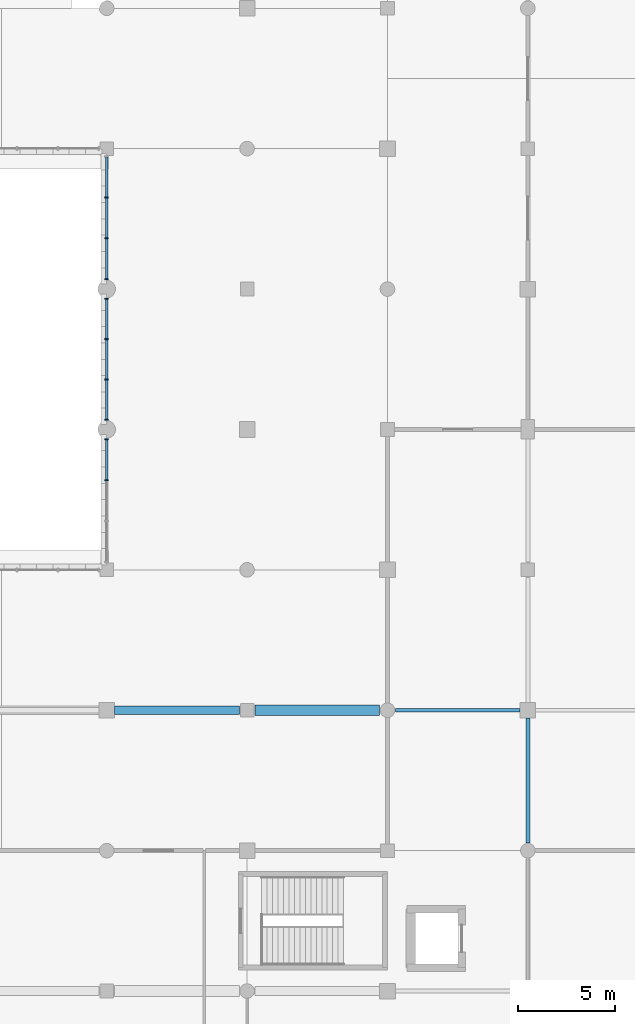
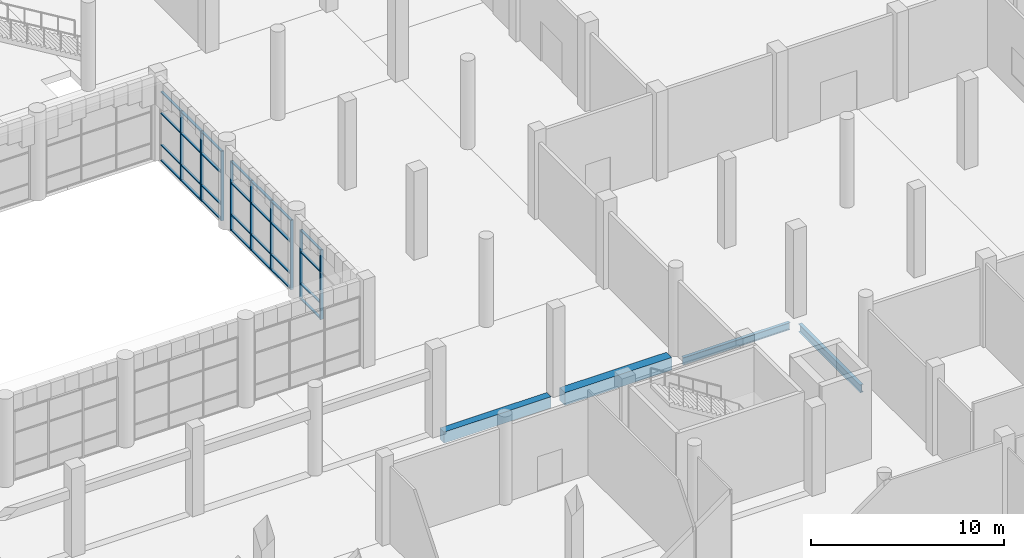
# One storey, part 18 of 85: 37 members, 4 beams, 3 elements without a shape of their own.
"""IFC4 building model written with IfcOpenShell, lengths in metres."""

from ifc_helpers import new_model, si_unit, direction, frame, origin, origin_2d, place, context, subcontext, project, spatial, rectangle, i_section, extrude, material, material_profile, profile_set, type_object, element, aggregate, save


model = new_model("IFC4")

# Units and contexts
model_context = context("Model", 3, precision=1e-05, world=origin(), true_north=direction((0.0, 1.0)))
body_context = subcontext(model_context, "Body", "Model", "MODEL_VIEW")
ifc_project = project(units=[si_unit("LENGTHUNIT", "METRE"), si_unit("AREAUNIT", "SQUARE_METRE"), si_unit("VOLUMEUNIT", "CUBIC_METRE"), si_unit("PLANEANGLEUNIT", "RADIAN"), si_unit("MASSUNIT", "GRAM", prefix="KILO")], contexts=[model_context])

# Site, building, storey
site_placement = place(None, origin())
site = spatial("IfcSite", under=ifc_project, at=site_placement, CompositionType="ELEMENT")
building_placement = place(site_placement, origin())
building = spatial("IfcBuilding", under=site, at=building_placement, Name="Sardonyx Promenade Sports Hall", CompositionType="ELEMENT")
storey_placement = place(building_placement, origin())
storey = spatial("IfcBuildingStorey", under=building, at=storey_placement, Name="L00", CompositionType="ELEMENT", Elevation=0.0)

# Beams
ifc_material_1 = material(Name="Concrete C40/50", Category="concrete")
ifc_material_profile_1 = material_profile(ifc_material_1, rectangle(XDim=0.550048828125, YDim=0.800048828125, at=origin_2d()))
ifc_profile_set_1 = profile_set([ifc_material_profile_1], Name="Concrete C40/50")
beam_type_1 = type_object("IfcBeamType", Name="Bm_Girder_RC800", PredefinedType="BEAM", material=ifc_profile_set_1)
beam_1_placement = place(storey_placement, frame((101.199951171875, 36.0, -0.39990234375), z_axis=(1.0, 0.0, 0.0), x_axis=(0.0, 1.0, 0.0)))
element("IfcBeam", 1, at=beam_1_placement, inside=storey, type_object=beam_type_1, Name="Beam BG04 L00 #114", PredefinedType="BEAM", context=body_context, shape_type="SweptSolid", body=[
    extrude(rectangle(XDim=0.550048828125, YDim=0.800048828125, at=origin_2d()), origin(), (0.0, 0.0, 1.0), 6.400146484375),
])
ifc_material_2 = material(Name="Steel S355JR", Category="steel")
ifc_material_profile_2 = material_profile(ifc_material_2, i_section(OverallWidth=0.18994140625, OverallDepth=0.453369140625, WebThickness=0.008544921875, FlangeThickness=0.0126953125, at=origin_2d()))
ifc_profile_set_2 = profile_set([ifc_material_profile_2], Name="Steel S355JR")
beam_type_2 = type_object("IfcBeamType", Name="Bm_Girder_UB457", PredefinedType="BEAM", material=ifc_profile_set_2)
beam_2_placement = place(storey_placement, frame((108.39990234375, 36.0, -0.646728515625), z_axis=(1.0, 0.0, 0.0), x_axis=(0.0, 1.0, 0.0)))
element("IfcBeam", 2, at=beam_2_placement, inside=storey, type_object=beam_type_2, Name="Beam SB01 L00 #115", PredefinedType="BEAM", context=body_context, shape_type="SweptSolid", body=[
    extrude(i_section(OverallWidth=0.18994140625, OverallDepth=0.453369140625, WebThickness=0.008544921875, FlangeThickness=0.0126953125, at=origin_2d()), origin(), (0.0, 0.0, 1.0), 6.400146484375),
])
ifc_material_3 = material(Name="Steel S355JR", Category="steel")
ifc_material_profile_3 = material_profile(ifc_material_3, i_section(OverallWidth=0.199951171875, OverallDepth=0.5, WebThickness=0.01025390625, FlangeThickness=0.01611328125, at=origin_2d()))
ifc_profile_set_3 = profile_set([ifc_material_profile_3], Name="Steel S355JR")
beam_type_3 = type_object("IfcBeamType", Name="Bm_Primary_IPE500", PredefinedType="BEAM", material=ifc_profile_set_3)
beam_3_placement = place(storey_placement, frame((115.199951171875, 29.199951171875, -0.669921875), z_axis=(0.0, 1.0, 0.0), x_axis=(-1.0, 0.0, 0.0)))
element("IfcBeam", 3, at=beam_3_placement, inside=storey, type_object=beam_type_3, Name="Beam SB06 L00 #152", PredefinedType="BEAM", context=body_context, shape_type="SweptSolid", body=[
    extrude(i_section(OverallWidth=0.199951171875, OverallDepth=0.5, WebThickness=0.01025390625, FlangeThickness=0.01611328125, at=origin_2d()), origin(), (0.0, 0.0, 1.0), 6.400146484375),
])
ifc_material_4 = material(Name="Concrete C40/50", Category="concrete")
ifc_material_profile_4 = material_profile(ifc_material_4, rectangle(XDim=0.449951171875, YDim=0.699951171875, at=origin_2d()))
ifc_profile_set_4 = profile_set([ifc_material_profile_4], Name="Concrete C40/50")
beam_type_4 = type_object("IfcBeamType", Name="Bm_Primary_RC700", PredefinedType="BEAM", material=ifc_profile_set_4)
beam_4_placement = place(storey_placement, frame((94.0, 36.0, -0.35009765625), z_axis=(1.0, 0.0, 0.0), x_axis=(0.0, 1.0, 0.0)))
element("IfcBeam", 4, at=beam_4_placement, inside=storey, type_object=beam_type_4, Name="Beam BG01 L00 #113", PredefinedType="BEAM", context=body_context, shape_type="SweptSolid", body=[
    extrude(rectangle(XDim=0.449951171875, YDim=0.699951171875, at=origin_2d()), origin(), (0.0, 0.0, 1.0), 6.39990234375),
])

# Curtain wall, members
ifc_material_5 = material(Name="Aluminium 6063-T6", Category="aluminium")
curtain_wall_type = type_object("IfcCurtainWallType", Name="CW_Riwaq_L00_640", PredefinedType="USERDEFINED", material=ifc_material_5)
curtain_wall_1_placement = place(storey_placement, origin())
curtain_wall_1 = element("IfcCurtainWall", 5, at=curtain_wall_1_placement, inside=storey, type_object=curtain_wall_type, Name="Curtain wall CW17 cw:L00:121", ObjectType="CURTAIN WALL", PredefinedType="USERDEFINED")
ifc_material_6 = material(Name="Aluminium 6063-T6", Category="aluminium")
ifc_material_profile_5 = material_profile(ifc_material_6, rectangle(XDim=0.06494140625, YDim=0.175048828125, at=origin_2d()))
ifc_profile_set_5 = profile_set([ifc_material_profile_5], Name="Aluminium 6063-T6")
member_type_1 = type_object("IfcMemberType", Name="CW_Mull_175", PredefinedType="MULLION", material=ifc_profile_set_5)
member_1_placement = place(storey_placement, frame((93.60009765625, 47.799072265625, 0.0), z_axis=(0.0, 0.0, 1.0), x_axis=(0.0, 1.0, 0.0)))
member_1 = element("IfcMember", 6, at=member_1_placement, type_object=member_type_1, Name="Mullion CM02 cw:L00:121 #3", PredefinedType="MULLION", context=body_context, shape_type="SweptSolid", body=[
    extrude(rectangle(XDim=0.06494140625, YDim=0.175048828125, at=origin_2d()), origin(), (0.0, 0.0, 1.0), 4.39990234375),
])
member_2_placement = place(storey_placement, frame((93.60009765625, 49.8974609375, 0.0), z_axis=(0.0, 0.0, 1.0), x_axis=(0.0, 1.0, 0.0)))
member_2 = element("IfcMember", 7, at=member_2_placement, type_object=member_type_1, Name="Mullion CM02 cw:L00:121 #4", PredefinedType="MULLION", context=body_context, shape_type="SweptSolid", body=[
    extrude(rectangle(XDim=0.06494140625, YDim=0.175048828125, at=origin_2d()), origin(), (0.0, 0.0, 1.0), 4.39990234375),
])

curtain_wall_2_placement = place(storey_placement, origin())
curtain_wall_2 = element("IfcCurtainWall", 8, at=curtain_wall_2_placement, inside=storey, type_object=curtain_wall_type, Name="Curtain wall CW17 cw:L00:123", ObjectType="CURTAIN WALL", PredefinedType="USERDEFINED")
member_3_placement = place(storey_placement, frame((93.60009765625, 50.902587890625, 0.0), z_axis=(0.0, 0.0, 1.0), x_axis=(0.0, 1.0, 0.0)))
member_3 = element("IfcMember", 9, at=member_3_placement, type_object=member_type_1, Name="Mullion CM02 cw:L00:123 #1", PredefinedType="MULLION", context=body_context, shape_type="SweptSolid", body=[
    extrude(rectangle(XDim=0.06494140625, YDim=0.175048828125, at=origin_2d()), origin(), (0.0, 0.0, 1.0), 4.39990234375),
])
member_4_placement = place(storey_placement, frame((93.60009765625, 52.967529296875, 0.0), z_axis=(0.0, 0.0, 1.0), x_axis=(0.0, 1.0, 0.0)))
member_4 = element("IfcMember", 10, at=member_4_placement, type_object=member_type_1, Name="Mullion CM02 cw:L00:123 #2", PredefinedType="MULLION", context=body_context, shape_type="SweptSolid", body=[
    extrude(rectangle(XDim=0.06494140625, YDim=0.175048828125, at=origin_2d()), origin(), (0.0, 0.0, 1.0), 4.39990234375),
])
member_5_placement = place(storey_placement, frame((93.60009765625, 55.032470703125, 0.0), z_axis=(0.0, 0.0, 1.0), x_axis=(0.0, 1.0, 0.0)))
member_5 = element("IfcMember", 11, at=member_5_placement, type_object=member_type_1, Name="Mullion CM02 cw:L00:123 #3", PredefinedType="MULLION", context=body_context, shape_type="SweptSolid", body=[
    extrude(rectangle(XDim=0.06494140625, YDim=0.175048828125, at=origin_2d()), origin(), (0.0, 0.0, 1.0), 4.39990234375),
])
member_6_placement = place(storey_placement, frame((93.60009765625, 57.097412109375, 0.0), z_axis=(0.0, 0.0, 1.0), x_axis=(0.0, 1.0, 0.0)))
member_6 = element("IfcMember", 12, at=member_6_placement, type_object=member_type_1, Name="Mullion CM02 cw:L00:123 #4", PredefinedType="MULLION", context=body_context, shape_type="SweptSolid", body=[
    extrude(rectangle(XDim=0.06494140625, YDim=0.175048828125, at=origin_2d()), origin(), (0.0, 0.0, 1.0), 4.39990234375),
])

curtain_wall_3_placement = place(storey_placement, origin())
curtain_wall_3 = element("IfcCurtainWall", 13, at=curtain_wall_3_placement, inside=storey, type_object=curtain_wall_type, Name="Curtain wall CW17 cw:L00:125", ObjectType="CURTAIN WALL", PredefinedType="USERDEFINED")
member_7_placement = place(storey_placement, frame((93.60009765625, 58.1025390625, 0.0), z_axis=(0.0, 0.0, 1.0), x_axis=(0.0, 1.0, 0.0)))
member_7 = element("IfcMember", 14, at=member_7_placement, type_object=member_type_1, Name="Mullion CM02 cw:L00:125 #1", PredefinedType="MULLION", context=body_context, shape_type="SweptSolid", body=[
    extrude(rectangle(XDim=0.06494140625, YDim=0.175048828125, at=origin_2d()), origin(), (0.0, 0.0, 1.0), 4.39990234375),
])
member_8_placement = place(storey_placement, frame((93.60009765625, 60.200927734375, 0.0), z_axis=(0.0, 0.0, 1.0), x_axis=(0.0, 1.0, 0.0)))
member_8 = element("IfcMember", 15, at=member_8_placement, type_object=member_type_1, Name="Mullion CM02 cw:L00:125 #2", PredefinedType="MULLION", context=body_context, shape_type="SweptSolid", body=[
    extrude(rectangle(XDim=0.06494140625, YDim=0.175048828125, at=origin_2d()), origin(), (0.0, 0.0, 1.0), 4.39990234375),
])
member_9_placement = place(storey_placement, frame((93.60009765625, 62.299072265625, 0.0), z_axis=(0.0, 0.0, 1.0), x_axis=(0.0, 1.0, 0.0)))
member_9 = element("IfcMember", 16, at=member_9_placement, type_object=member_type_1, Name="Mullion CM02 cw:L00:125 #3", PredefinedType="MULLION", context=body_context, shape_type="SweptSolid", body=[
    extrude(rectangle(XDim=0.06494140625, YDim=0.175048828125, at=origin_2d()), origin(), (0.0, 0.0, 1.0), 4.39990234375),
])

# Member
ifc_material_7 = material(Name="Aluminium 6063-T6", Category="aluminium")
ifc_material_profile_6 = material_profile(ifc_material_7, rectangle(XDim=0.06494140625, YDim=0.139892578125, at=origin_2d()))
ifc_profile_set_6 = profile_set([ifc_material_profile_6], Name="Aluminium 6063-T6")
member_type_2 = type_object("IfcMemberType", Name="CW_Tran_140", PredefinedType="USERDEFINED", material=ifc_profile_set_6)
member_10_placement = place(storey_placement, frame((93.60009765625, 47.831787109375, 0.032470703125), z_axis=(0.0, 1.0, 0.0), x_axis=(0.0, 0.0, 1.0)))
member_10 = element("IfcMember", 17, at=member_10_placement, type_object=member_type_2, Name="Transom CT02 cw:L00:121 #9", ObjectType="TRANSOM", PredefinedType="USERDEFINED", context=body_context, shape_type="SweptSolid", body=[
    extrude(rectangle(XDim=0.06494140625, YDim=0.139892578125, at=origin_2d()), origin(), (0.0, 0.0, 1.0), 2.033203125),
])

member_11_placement = place(storey_placement, frame((93.60009765625, 47.831787109375, 1.0), z_axis=(0.0, 1.0, 0.0), x_axis=(0.0, 0.0, 1.0)))
member_11 = element("IfcMember", 18, at=member_11_placement, type_object=member_type_2, Name="Transom CT02 cw:L00:121 #10", ObjectType="TRANSOM", PredefinedType="USERDEFINED", context=body_context, shape_type="SweptSolid", body=[
    extrude(rectangle(XDim=0.06494140625, YDim=0.139892578125, at=origin_2d()), origin(), (0.0, 0.0, 1.0), 2.033203125),
])

member_12_placement = place(storey_placement, frame((93.60009765625, 47.831787109375, 3.0), z_axis=(0.0, 1.0, 0.0), x_axis=(0.0, 0.0, 1.0)))
member_12 = element("IfcMember", 19, at=member_12_placement, type_object=member_type_2, Name="Transom CT02 cw:L00:121 #11", ObjectType="TRANSOM", PredefinedType="USERDEFINED", context=body_context, shape_type="SweptSolid", body=[
    extrude(rectangle(XDim=0.06494140625, YDim=0.139892578125, at=origin_2d()), origin(), (0.0, 0.0, 1.0), 2.033203125),
])

member_13_placement = place(storey_placement, frame((93.60009765625, 47.831787109375, 4.367431640625), z_axis=(0.0, 1.0, 0.0), x_axis=(0.0, 0.0, 1.0)))
member_13 = element("IfcMember", 20, at=member_13_placement, type_object=member_type_2, Name="Transom CT02 cw:L00:121 #12", ObjectType="TRANSOM", PredefinedType="USERDEFINED", context=body_context, shape_type="SweptSolid", body=[
    extrude(rectangle(XDim=0.06494140625, YDim=0.139892578125, at=origin_2d()), origin(), (0.0, 0.0, 1.0), 2.033203125),
])

aggregate(curtain_wall_1, [member_1, member_2, member_10, member_11, member_12, member_13])

member_14_placement = place(storey_placement, frame((93.60009765625, 50.93505859375, 0.032470703125), z_axis=(0.0, 1.0, 0.0), x_axis=(0.0, 0.0, 1.0)))
member_14 = element("IfcMember", 21, at=member_14_placement, type_object=member_type_2, Name="Transom CT02 cw:L00:123 #1", ObjectType="TRANSOM", PredefinedType="USERDEFINED", context=body_context, shape_type="SweptSolid", body=[
    extrude(rectangle(XDim=0.06494140625, YDim=0.139892578125, at=origin_2d()), origin(), (0.0, 0.0, 1.0), 2.0),
])

member_15_placement = place(storey_placement, frame((93.60009765625, 50.93505859375, 1.0), z_axis=(0.0, 1.0, 0.0), x_axis=(0.0, 0.0, 1.0)))
member_15 = element("IfcMember", 22, at=member_15_placement, type_object=member_type_2, Name="Transom CT02 cw:L00:123 #2", ObjectType="TRANSOM", PredefinedType="USERDEFINED", context=body_context, shape_type="SweptSolid", body=[
    extrude(rectangle(XDim=0.06494140625, YDim=0.139892578125, at=origin_2d()), origin(), (0.0, 0.0, 1.0), 2.0),
])

member_16_placement = place(storey_placement, frame((93.60009765625, 50.93505859375, 3.0), z_axis=(0.0, 1.0, 0.0), x_axis=(0.0, 0.0, 1.0)))
member_16 = element("IfcMember", 23, at=member_16_placement, type_object=member_type_2, Name="Transom CT02 cw:L00:123 #3", ObjectType="TRANSOM", PredefinedType="USERDEFINED", context=body_context, shape_type="SweptSolid", body=[
    extrude(rectangle(XDim=0.06494140625, YDim=0.139892578125, at=origin_2d()), origin(), (0.0, 0.0, 1.0), 2.0),
])

member_17_placement = place(storey_placement, frame((93.60009765625, 50.93505859375, 4.367431640625), z_axis=(0.0, 1.0, 0.0), x_axis=(0.0, 0.0, 1.0)))
member_17 = element("IfcMember", 24, at=member_17_placement, type_object=member_type_2, Name="Transom CT02 cw:L00:123 #4", ObjectType="TRANSOM", PredefinedType="USERDEFINED", context=body_context, shape_type="SweptSolid", body=[
    extrude(rectangle(XDim=0.06494140625, YDim=0.139892578125, at=origin_2d()), origin(), (0.0, 0.0, 1.0), 2.0),
])

member_18_placement = place(storey_placement, frame((93.60009765625, 53.0, 0.032470703125), z_axis=(0.0, 1.0, 0.0), x_axis=(0.0, 0.0, 1.0)))
member_18 = element("IfcMember", 25, at=member_18_placement, type_object=member_type_2, Name="Transom CT02 cw:L00:123 #5", ObjectType="TRANSOM", PredefinedType="USERDEFINED", context=body_context, shape_type="SweptSolid", body=[
    extrude(rectangle(XDim=0.06494140625, YDim=0.139892578125, at=origin_2d()), origin(), (0.0, 0.0, 1.0), 2.0),
])

member_19_placement = place(storey_placement, frame((93.60009765625, 53.0, 1.0), z_axis=(0.0, 1.0, 0.0), x_axis=(0.0, 0.0, 1.0)))
member_19 = element("IfcMember", 26, at=member_19_placement, type_object=member_type_2, Name="Transom CT02 cw:L00:123 #6", ObjectType="TRANSOM", PredefinedType="USERDEFINED", context=body_context, shape_type="SweptSolid", body=[
    extrude(rectangle(XDim=0.06494140625, YDim=0.139892578125, at=origin_2d()), origin(), (0.0, 0.0, 1.0), 2.0),
])

member_20_placement = place(storey_placement, frame((93.60009765625, 53.0, 3.0), z_axis=(0.0, 1.0, 0.0), x_axis=(0.0, 0.0, 1.0)))
member_20 = element("IfcMember", 27, at=member_20_placement, type_object=member_type_2, Name="Transom CT02 cw:L00:123 #7", ObjectType="TRANSOM", PredefinedType="USERDEFINED", context=body_context, shape_type="SweptSolid", body=[
    extrude(rectangle(XDim=0.06494140625, YDim=0.139892578125, at=origin_2d()), origin(), (0.0, 0.0, 1.0), 2.0),
])

member_21_placement = place(storey_placement, frame((93.60009765625, 53.0, 4.367431640625), z_axis=(0.0, 1.0, 0.0), x_axis=(0.0, 0.0, 1.0)))
member_21 = element("IfcMember", 28, at=member_21_placement, type_object=member_type_2, Name="Transom CT02 cw:L00:123 #8", ObjectType="TRANSOM", PredefinedType="USERDEFINED", context=body_context, shape_type="SweptSolid", body=[
    extrude(rectangle(XDim=0.06494140625, YDim=0.139892578125, at=origin_2d()), origin(), (0.0, 0.0, 1.0), 2.0),
])

member_22_placement = place(storey_placement, frame((93.60009765625, 55.06494140625, 0.032470703125), z_axis=(0.0, 1.0, 0.0), x_axis=(0.0, 0.0, 1.0)))
member_22 = element("IfcMember", 29, at=member_22_placement, type_object=member_type_2, Name="Transom CT02 cw:L00:123 #9", ObjectType="TRANSOM", PredefinedType="USERDEFINED", context=body_context, shape_type="SweptSolid", body=[
    extrude(rectangle(XDim=0.06494140625, YDim=0.139892578125, at=origin_2d()), origin(), (0.0, 0.0, 1.0), 2.0),
])

member_23_placement = place(storey_placement, frame((93.60009765625, 55.06494140625, 1.0), z_axis=(0.0, 1.0, 0.0), x_axis=(0.0, 0.0, 1.0)))
member_23 = element("IfcMember", 30, at=member_23_placement, type_object=member_type_2, Name="Transom CT02 cw:L00:123 #10", ObjectType="TRANSOM", PredefinedType="USERDEFINED", context=body_context, shape_type="SweptSolid", body=[
    extrude(rectangle(XDim=0.06494140625, YDim=0.139892578125, at=origin_2d()), origin(), (0.0, 0.0, 1.0), 2.0),
])

member_24_placement = place(storey_placement, frame((93.60009765625, 55.06494140625, 3.0), z_axis=(0.0, 1.0, 0.0), x_axis=(0.0, 0.0, 1.0)))
member_24 = element("IfcMember", 31, at=member_24_placement, type_object=member_type_2, Name="Transom CT02 cw:L00:123 #11", ObjectType="TRANSOM", PredefinedType="USERDEFINED", context=body_context, shape_type="SweptSolid", body=[
    extrude(rectangle(XDim=0.06494140625, YDim=0.139892578125, at=origin_2d()), origin(), (0.0, 0.0, 1.0), 2.0),
])

member_25_placement = place(storey_placement, frame((93.60009765625, 55.06494140625, 4.367431640625), z_axis=(0.0, 1.0, 0.0), x_axis=(0.0, 0.0, 1.0)))
member_25 = element("IfcMember", 32, at=member_25_placement, type_object=member_type_2, Name="Transom CT02 cw:L00:123 #12", ObjectType="TRANSOM", PredefinedType="USERDEFINED", context=body_context, shape_type="SweptSolid", body=[
    extrude(rectangle(XDim=0.06494140625, YDim=0.139892578125, at=origin_2d()), origin(), (0.0, 0.0, 1.0), 2.0),
])

aggregate(curtain_wall_2, [member_3, member_4, member_5, member_6, member_14, member_15, member_16, member_17, member_18, member_19, member_20, member_21, member_22, member_23, member_24, member_25])

member_26_placement = place(storey_placement, frame((93.60009765625, 58.135009765625, 0.032470703125), z_axis=(0.0, 1.0, 0.0), x_axis=(0.0, 0.0, 1.0)))
member_26 = element("IfcMember", 33, at=member_26_placement, type_object=member_type_2, Name="Transom CT02 cw:L00:125 #1", ObjectType="TRANSOM", PredefinedType="USERDEFINED", context=body_context, shape_type="SweptSolid", body=[
    extrude(rectangle(XDim=0.06494140625, YDim=0.139892578125, at=origin_2d()), origin(), (0.0, 0.0, 1.0), 2.033203125),
])

member_27_placement = place(storey_placement, frame((93.60009765625, 58.135009765625, 1.0), z_axis=(0.0, 1.0, 0.0), x_axis=(0.0, 0.0, 1.0)))
member_27 = element("IfcMember", 34, at=member_27_placement, type_object=member_type_2, Name="Transom CT02 cw:L00:125 #2", ObjectType="TRANSOM", PredefinedType="USERDEFINED", context=body_context, shape_type="SweptSolid", body=[
    extrude(rectangle(XDim=0.06494140625, YDim=0.139892578125, at=origin_2d()), origin(), (0.0, 0.0, 1.0), 2.033203125),
])

member_28_placement = place(storey_placement, frame((93.60009765625, 58.135009765625, 3.0), z_axis=(0.0, 1.0, 0.0), x_axis=(0.0, 0.0, 1.0)))
member_28 = element("IfcMember", 35, at=member_28_placement, type_object=member_type_2, Name="Transom CT02 cw:L00:125 #3", ObjectType="TRANSOM", PredefinedType="USERDEFINED", context=body_context, shape_type="SweptSolid", body=[
    extrude(rectangle(XDim=0.06494140625, YDim=0.139892578125, at=origin_2d()), origin(), (0.0, 0.0, 1.0), 2.033203125),
])

member_29_placement = place(storey_placement, frame((93.60009765625, 58.135009765625, 4.367431640625), z_axis=(0.0, 1.0, 0.0), x_axis=(0.0, 0.0, 1.0)))
member_29 = element("IfcMember", 36, at=member_29_placement, type_object=member_type_2, Name="Transom CT02 cw:L00:125 #4", ObjectType="TRANSOM", PredefinedType="USERDEFINED", context=body_context, shape_type="SweptSolid", body=[
    extrude(rectangle(XDim=0.06494140625, YDim=0.139892578125, at=origin_2d()), origin(), (0.0, 0.0, 1.0), 2.033203125),
])

member_30_placement = place(storey_placement, frame((93.60009765625, 60.2333984375, 0.032470703125), z_axis=(0.0, 1.0, 0.0), x_axis=(0.0, 0.0, 1.0)))
member_30 = element("IfcMember", 37, at=member_30_placement, type_object=member_type_2, Name="Transom CT02 cw:L00:125 #5", ObjectType="TRANSOM", PredefinedType="USERDEFINED", context=body_context, shape_type="SweptSolid", body=[
    extrude(rectangle(XDim=0.06494140625, YDim=0.139892578125, at=origin_2d()), origin(), (0.0, 0.0, 1.0), 2.033203125),
])

member_31_placement = place(storey_placement, frame((93.60009765625, 60.2333984375, 1.0), z_axis=(0.0, 1.0, 0.0), x_axis=(0.0, 0.0, 1.0)))
member_31 = element("IfcMember", 38, at=member_31_placement, type_object=member_type_2, Name="Transom CT02 cw:L00:125 #6", ObjectType="TRANSOM", PredefinedType="USERDEFINED", context=body_context, shape_type="SweptSolid", body=[
    extrude(rectangle(XDim=0.06494140625, YDim=0.139892578125, at=origin_2d()), origin(), (0.0, 0.0, 1.0), 2.033203125),
])

member_32_placement = place(storey_placement, frame((93.60009765625, 60.2333984375, 3.0), z_axis=(0.0, 1.0, 0.0), x_axis=(0.0, 0.0, 1.0)))
member_32 = element("IfcMember", 39, at=member_32_placement, type_object=member_type_2, Name="Transom CT02 cw:L00:125 #7", ObjectType="TRANSOM", PredefinedType="USERDEFINED", context=body_context, shape_type="SweptSolid", body=[
    extrude(rectangle(XDim=0.06494140625, YDim=0.139892578125, at=origin_2d()), origin(), (0.0, 0.0, 1.0), 2.033203125),
])

member_33_placement = place(storey_placement, frame((93.60009765625, 60.2333984375, 4.367431640625), z_axis=(0.0, 1.0, 0.0), x_axis=(0.0, 0.0, 1.0)))
member_33 = element("IfcMember", 40, at=member_33_placement, type_object=member_type_2, Name="Transom CT02 cw:L00:125 #8", ObjectType="TRANSOM", PredefinedType="USERDEFINED", context=body_context, shape_type="SweptSolid", body=[
    extrude(rectangle(XDim=0.06494140625, YDim=0.139892578125, at=origin_2d()), origin(), (0.0, 0.0, 1.0), 2.033203125),
])

member_34_placement = place(storey_placement, frame((93.60009765625, 62.331787109375, 0.032470703125), z_axis=(0.0, 1.0, 0.0), x_axis=(0.0, 0.0, 1.0)))
member_34 = element("IfcMember", 41, at=member_34_placement, type_object=member_type_2, Name="Transom CT02 cw:L00:125 #9", ObjectType="TRANSOM", PredefinedType="USERDEFINED", context=body_context, shape_type="SweptSolid", body=[
    extrude(rectangle(XDim=0.06494140625, YDim=0.139892578125, at=origin_2d()), origin(), (0.0, 0.0, 1.0), 2.033203125),
])

member_35_placement = place(storey_placement, frame((93.60009765625, 62.331787109375, 1.0), z_axis=(0.0, 1.0, 0.0), x_axis=(0.0, 0.0, 1.0)))
member_35 = element("IfcMember", 42, at=member_35_placement, type_object=member_type_2, Name="Transom CT02 cw:L00:125 #10", ObjectType="TRANSOM", PredefinedType="USERDEFINED", context=body_context, shape_type="SweptSolid", body=[
    extrude(rectangle(XDim=0.06494140625, YDim=0.139892578125, at=origin_2d()), origin(), (0.0, 0.0, 1.0), 2.033203125),
])

member_36_placement = place(storey_placement, frame((93.60009765625, 62.331787109375, 3.0), z_axis=(0.0, 1.0, 0.0), x_axis=(0.0, 0.0, 1.0)))
member_36 = element("IfcMember", 43, at=member_36_placement, type_object=member_type_2, Name="Transom CT02 cw:L00:125 #11", ObjectType="TRANSOM", PredefinedType="USERDEFINED", context=body_context, shape_type="SweptSolid", body=[
    extrude(rectangle(XDim=0.06494140625, YDim=0.139892578125, at=origin_2d()), origin(), (0.0, 0.0, 1.0), 2.033203125),
])

member_37_placement = place(storey_placement, frame((93.60009765625, 62.331787109375, 4.367431640625), z_axis=(0.0, 1.0, 0.0), x_axis=(0.0, 0.0, 1.0)))
member_37 = element("IfcMember", 44, at=member_37_placement, type_object=member_type_2, Name="Transom CT02 cw:L00:125 #12", ObjectType="TRANSOM", PredefinedType="USERDEFINED", context=body_context, shape_type="SweptSolid", body=[
    extrude(rectangle(XDim=0.06494140625, YDim=0.139892578125, at=origin_2d()), origin(), (0.0, 0.0, 1.0), 2.033203125),
])

aggregate(curtain_wall_3, [member_7, member_8, member_9, member_26, member_27, member_28, member_29, member_30, member_31, member_32, member_33, member_34, member_35, member_36, member_37])

save(model, "model.ifc")
